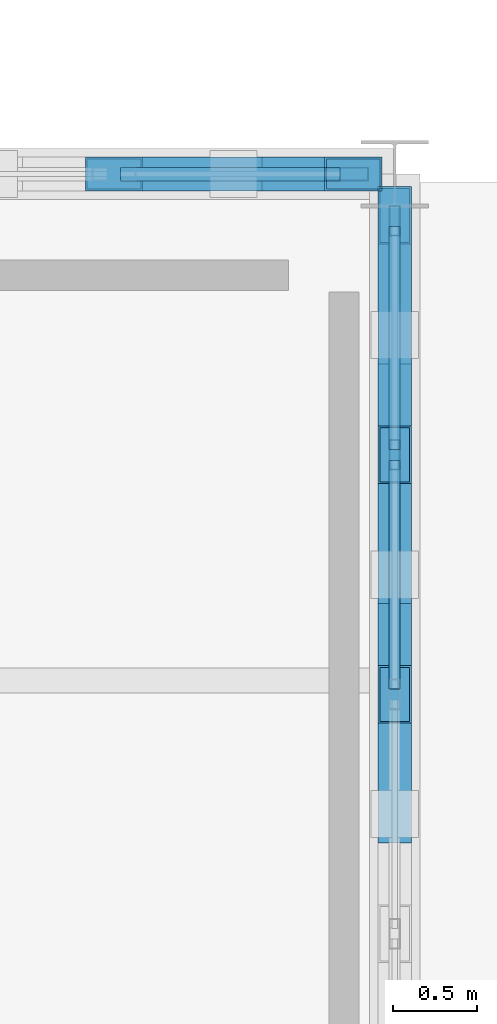
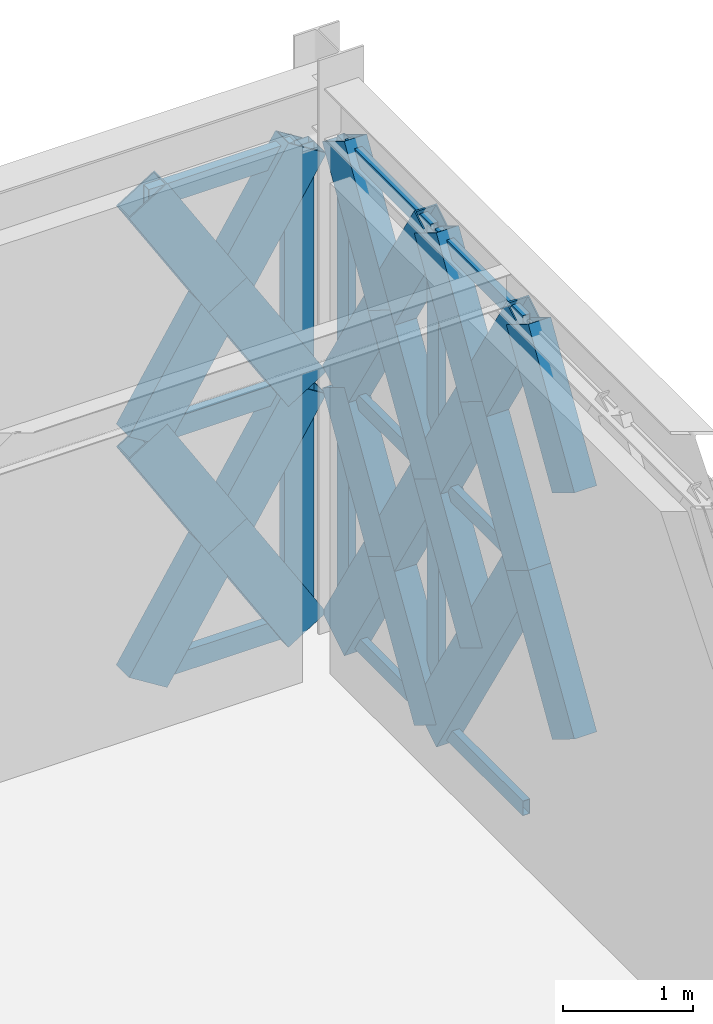
# One storey, part 99 of 140: 31 members, 2 elements without a shape of their own.
"""IFC4 building model written with IfcOpenShell, lengths in metres."""

from ifc_helpers import new_model, si_unit, direction, frame, origin, origin_2d, place, context, subcontext, project, spatial, hollow_rectangle, extrude, material, material_profile, profile_set, type_object, element, aggregate, save


model = new_model("IFC4")

# Units and contexts
model_context = context("Model", 3, precision=1e-05, world=origin(), true_north=direction((0.0, 1.0)))
body_context = subcontext(model_context, "Body", "Model", "MODEL_VIEW")
ifc_project = project(units=[si_unit("LENGTHUNIT", "METRE"), si_unit("AREAUNIT", "SQUARE_METRE"), si_unit("VOLUMEUNIT", "CUBIC_METRE"), si_unit("PLANEANGLEUNIT", "RADIAN"), si_unit("MASSUNIT", "GRAM", prefix="KILO")], contexts=[model_context])

# Site, building, storey
site_placement = place(None, origin())
site = spatial("IfcSite", under=ifc_project, at=site_placement, CompositionType="ELEMENT")
building_placement = place(site_placement, origin())
building = spatial("IfcBuilding", under=site, at=building_placement, Name="Haizhuo Lancet Aquarium", CompositionType="ELEMENT")
storey_placement = place(building_placement, origin())
storey = spatial("IfcBuildingStorey", under=building, at=storey_placement, Name="L00", CompositionType="ELEMENT", Elevation=0.0)

# Curtain wall, members
ifc_material_1 = material(Name="Aluminium 6063-T6", Category="aluminium")
curtain_wall_type_1 = type_object("IfcCurtainWallType", Name="CWD-8510x4630", PredefinedType="NOTDEFINED", material=ifc_material_1)
curtain_wall_1_placement = place(storey_placement, origin())
curtain_wall_1 = element("IfcCurtainWall", 1, at=curtain_wall_1_placement, inside=storey, type_object=curtain_wall_type_1, Name="L00 curtain wall CW-V7-L00-274", PredefinedType="NOTDEFINED")
ifc_material_profile_1 = material_profile(ifc_material_1, hollow_rectangle(XDim=0.06494140625, YDim=0.179931640625, WallThickness=0.00390625, at=origin_2d()), Name="ALU-M 65x180x4")
ifc_profile_set_1 = profile_set([ifc_material_profile_1], Name="Aluminium 6063-T6")
member_type_1 = type_object("IfcMemberType", Name="CW-MUL-1", PredefinedType="MULLION", material=ifc_profile_set_1)
member_1_placement = place(storey_placement, frame((63.0, 35.722900390625, 0.0), z_axis=(0.0, 0.0, 1.0), x_axis=(1.0, 0.0, 0.0)))
member_1 = element("IfcMember", 2, at=member_1_placement, type_object=member_type_1, Name="CWD-85x46 mullion 1", PredefinedType="MULLION", context=body_context, shape_type="SweptSolid", body=[
    extrude(hollow_rectangle(XDim=0.06494140625, YDim=0.179931640625, WallThickness=0.00390625, at=origin_2d()), origin(), (0.0, 0.0, 1.0), 4.632080078125),
])
member_2_placement = place(storey_placement, frame((63.0, 34.3369140625, 0.0), z_axis=(0.0, 0.0, 1.0), x_axis=(1.0, 0.0, 0.0)))
member_2 = element("IfcMember", 3, at=member_2_placement, type_object=member_type_1, Name="CWD-85x46 mullion 2", PredefinedType="MULLION", context=body_context, shape_type="SweptSolid", body=[
    extrude(hollow_rectangle(XDim=0.06494140625, YDim=0.179931640625, WallThickness=0.00390625, at=origin_2d()), origin(), (0.0, 0.0, 1.0), 4.632080078125),
])

# Curtain wall, member
curtain_wall_type_2 = type_object("IfcCurtainWallType", Name="CWD-8510x4530", PredefinedType="NOTDEFINED", material=ifc_material_1)
curtain_wall_2_placement = place(storey_placement, origin())
curtain_wall_2 = element("IfcCurtainWall", 4, at=curtain_wall_2_placement, inside=storey, type_object=curtain_wall_type_2, Name="L00 curtain wall CW-V7-L00-273", PredefinedType="NOTDEFINED")
ifc_material_profile_2 = material_profile(ifc_material_1, hollow_rectangle(XDim=0.080078125, YDim=0.260009765625, WallThickness=0.0048828125, at=origin_2d()), Name="ALU-M 80x260x5")
ifc_profile_set_2 = profile_set([ifc_material_profile_2], Name="Aluminium 6063-T6")
member_type_2 = type_object("IfcMemberType", Name="CW-MUL-3", PredefinedType="MULLION", material=ifc_profile_set_2)
member_3_placement = place(storey_placement, frame((62.715087890625, 36.0, 0.0), z_axis=(0.0, 0.0, 1.0), x_axis=(0.0, 1.0, 0.0)))
member_3 = element("IfcMember", 5, at=member_3_placement, type_object=member_type_2, Name="CWD-85x45 mullion 7", PredefinedType="MULLION", context=body_context, shape_type="SweptSolid", body=[
    extrude(hollow_rectangle(XDim=0.080078125, YDim=0.260009765625, WallThickness=0.0048828125, at=origin_2d()), origin(), (0.0, 0.0, 1.0), 4.531982421875),
])

# Member
ifc_material_profile_3 = material_profile(ifc_material_1, hollow_rectangle(XDim=0.06494140625, YDim=0.139892578125, WallThickness=0.00390625, at=origin_2d()), Name="ALU-T 65x140x4")
ifc_profile_set_3 = profile_set([ifc_material_profile_3], Name="Aluminium 6063-T6")
member_type_3 = type_object("IfcMemberType", Name="CW-TRN-1", PredefinedType="NOTDEFINED", material=ifc_profile_set_3)
member_4_placement = place(storey_placement, frame((63.0, 35.68994140625, 0.032958984375), z_axis=(0.0, -1.0, 0.0), x_axis=(1.0, 0.0, 0.0)))
member_4 = element("IfcMember", 6, at=member_4_placement, type_object=member_type_3, Name="CWD-85x46 transom 1.1", ObjectType="TRANSOM", PredefinedType="USERDEFINED", context=body_context, shape_type="SweptSolid", body=[
    extrude(hollow_rectangle(XDim=0.06494140625, YDim=0.139892578125, WallThickness=0.00390625, at=origin_2d()), origin(), (0.0, 0.0, 1.0), 1.321044921875),
])

member_5_placement = place(storey_placement, frame((63.0, 35.68994140625, 2.31591796875), z_axis=(0.0, -1.0, 0.0), x_axis=(1.0, 0.0, 0.0)))
member_5 = element("IfcMember", 7, at=member_5_placement, type_object=member_type_3, Name="CWD-85x46 transom 1.2", ObjectType="TRANSOM", PredefinedType="USERDEFINED", context=body_context, shape_type="SweptSolid", body=[
    extrude(hollow_rectangle(XDim=0.06494140625, YDim=0.139892578125, WallThickness=0.00390625, at=origin_2d()), origin(), (0.0, 0.0, 1.0), 1.321044921875),
])

member_6_placement = place(storey_placement, frame((63.0, 35.68994140625, 4.59912109375), z_axis=(0.0, -1.0, 0.0), x_axis=(1.0, 0.0, 0.0)))
member_6 = element("IfcMember", 8, at=member_6_placement, type_object=member_type_3, Name="CWD-85x46 transom 1.3", ObjectType="TRANSOM", PredefinedType="USERDEFINED", context=body_context, shape_type="SweptSolid", body=[
    extrude(hollow_rectangle(XDim=0.06494140625, YDim=0.139892578125, WallThickness=0.00390625, at=origin_2d()), origin(), (0.0, 0.0, 1.0), 1.321044921875),
])

member_7_placement = place(storey_placement, frame((63.0, 34.303955078125, 0.032958984375), z_axis=(0.0, -1.0, 0.0), x_axis=(1.0, 0.0, 0.0)))
member_7 = element("IfcMember", 9, at=member_7_placement, type_object=member_type_3, Name="CWD-85x46 transom 2.1", ObjectType="TRANSOM", PredefinedType="USERDEFINED", context=body_context, shape_type="SweptSolid", body=[
    extrude(hollow_rectangle(XDim=0.06494140625, YDim=0.139892578125, WallThickness=0.00390625, at=origin_2d()), origin(), (0.0, 0.0, 1.0), 1.35302734375),
])

member_8_placement = place(storey_placement, frame((63.0, 34.303955078125, 2.31591796875), z_axis=(0.0, -1.0, 0.0), x_axis=(1.0, 0.0, 0.0)))
member_8 = element("IfcMember", 10, at=member_8_placement, type_object=member_type_3, Name="CWD-85x46 transom 2.2", ObjectType="TRANSOM", PredefinedType="USERDEFINED", context=body_context, shape_type="SweptSolid", body=[
    extrude(hollow_rectangle(XDim=0.06494140625, YDim=0.139892578125, WallThickness=0.00390625, at=origin_2d()), origin(), (0.0, 0.0, 1.0), 1.35302734375),
])

member_9_placement = place(storey_placement, frame((63.0, 34.303955078125, 4.59912109375), z_axis=(0.0, -1.0, 0.0), x_axis=(1.0, 0.0, 0.0)))
member_9 = element("IfcMember", 11, at=member_9_placement, type_object=member_type_3, Name="CWD-85x46 transom 2.3", ObjectType="TRANSOM", PredefinedType="USERDEFINED", context=body_context, shape_type="SweptSolid", body=[
    extrude(hollow_rectangle(XDim=0.06494140625, YDim=0.139892578125, WallThickness=0.00390625, at=origin_2d()), origin(), (0.0, 0.0, 1.0), 1.35302734375),
])

aggregate(curtain_wall_1, [member_1, member_2, member_4, member_5, member_6, member_7, member_8, member_9])

ifc_material_profile_4 = material_profile(ifc_material_1, hollow_rectangle(XDim=0.080078125, YDim=0.18994140625, WallThickness=0.0048828125, at=origin_2d()), Name="ALU-T 80x190x5")
ifc_profile_set_4 = profile_set([ifc_material_profile_4], Name="Aluminium 6063-T6")
member_type_4 = type_object("IfcMemberType", Name="CW-TRN-3", PredefinedType="NOTDEFINED", material=ifc_profile_set_4)
member_10_placement = place(storey_placement, frame((61.376953125, 36.0, 0.0400390625), z_axis=(1.0, 0.0, 0.0), x_axis=(0.0, 1.0, 0.0)))
member_10 = element("IfcMember", 12, at=member_10_placement, type_object=member_type_4, Name="CWD-85x45 transom 6.1", ObjectType="TRANSOM", PredefinedType="USERDEFINED", context=body_context, shape_type="SweptSolid", body=[
    extrude(hollow_rectangle(XDim=0.080078125, YDim=0.18994140625, WallThickness=0.0048828125, at=origin_2d()), origin(), (0.0, 0.0, 1.0), 1.298095703125),
])

member_11_placement = place(storey_placement, frame((61.376953125, 36.0, 2.26611328125), z_axis=(1.0, 0.0, 0.0), x_axis=(0.0, 1.0, 0.0)))
member_11 = element("IfcMember", 13, at=member_11_placement, type_object=member_type_4, Name="CWD-85x45 transom 6.2", ObjectType="TRANSOM", PredefinedType="USERDEFINED", context=body_context, shape_type="SweptSolid", body=[
    extrude(hollow_rectangle(XDim=0.080078125, YDim=0.18994140625, WallThickness=0.0048828125, at=origin_2d()), origin(), (0.0, 0.0, 1.0), 1.298095703125),
])

member_12_placement = place(storey_placement, frame((61.376953125, 36.0, 4.491943359375), z_axis=(1.0, 0.0, 0.0), x_axis=(0.0, 1.0, 0.0)))
member_12 = element("IfcMember", 14, at=member_12_placement, type_object=member_type_4, Name="CWD-85x45 transom 6.3", ObjectType="TRANSOM", PredefinedType="USERDEFINED", context=body_context, shape_type="SweptSolid", body=[
    extrude(hollow_rectangle(XDim=0.080078125, YDim=0.18994140625, WallThickness=0.0048828125, at=origin_2d()), origin(), (0.0, 0.0, 1.0), 1.298095703125),
])

aggregate(curtain_wall_2, [member_3, member_10, member_11, member_12])

# Members
ifc_material_2 = material(Name="Steel S355", Category="steel")
ifc_material_profile_5 = material_profile(ifc_material_2, hollow_rectangle(XDim=0.199951171875, YDim=0.39990234375, WallThickness=0.011962890625, at=origin_2d()), Name="RHS 200x400x12")
ifc_profile_set_5 = profile_set([ifc_material_profile_5], Name="Steel S355")
member_type_5 = type_object("IfcMemberType", Name="MEM-LB-RHS200x400", PredefinedType="BRACE", material=ifc_profile_set_5)
member_13_placement = place(storey_placement, frame((61.3369140625, 36.0, 0.0), z_axis=(0.530442175185, 0.0, 0.847721120879), x_axis=(0.0, 1.0, 0.0)))
element("IfcMember", 15, at=member_13_placement, inside=storey, type_object=member_type_5, Name="Gothic lancet continuous diagonal brace CW-V7-L00-273 11A", PredefinedType="BRACE", context=body_context, shape_type="SweptSolid", body=[
    extrude(hollow_rectangle(XDim=0.199951171875, YDim=0.39990234375, WallThickness=0.011962890625, at=origin_2d()), origin(), (0.0, 0.0, 1.0), 2.673095703125),
])
for number, where, z_axis, x_axis, name in (
    (16, (62.7548828125, 36.0, 0.0), (-0.530442175185, 0.0, 0.847721120879), (0.0, -1.0, 0.0), "Gothic lancet split diagonal brace CW-V7-L00-273 11B1"),
    (17, (62.0458984375, 36.0, 1.133056640625), (-0.530442175185, 0.0, 0.847721120879), (0.0, -1.0, 0.0), "Gothic lancet split diagonal brace CW-V7-L00-273 11B2"),
):
    element("IfcMember", number, at=place(storey_placement, frame(where, z_axis=z_axis, x_axis=x_axis)), inside=storey, type_object=member_type_5, Name=name, PredefinedType="BRACE", context=body_context, shape_type="SweptSolid", body=[
        extrude(hollow_rectangle(XDim=0.199951171875, YDim=0.39990234375, WallThickness=0.011962890625, at=origin_2d()), origin(), (0.0, 0.0, 1.0), 1.336669921875),
    ])
member_14_placement = place(storey_placement, frame((61.3369140625, 36.0, 2.26611328125), z_axis=(0.530483245642, 0.0, 0.847695420592), x_axis=(0.0, 1.0, 0.0)))
element("IfcMember", 18, at=member_14_placement, inside=storey, type_object=member_type_5, Name="Gothic lancet continuous diagonal brace CW-V7-L00-273 12A", PredefinedType="BRACE", context=body_context, shape_type="SweptSolid", body=[
    extrude(hollow_rectangle(XDim=0.199951171875, YDim=0.39990234375, WallThickness=0.011962890625, at=origin_2d()), origin(), (0.0, 0.0, 1.0), 2.673095703125),
])
member_15_placement = place(storey_placement, frame((62.7548828125, 36.0, 2.26611328125), z_axis=(-0.530524321213, 0.0, 0.847669714335), x_axis=(0.0, -1.0, 0.0)))
element("IfcMember", 19, at=member_15_placement, inside=storey, type_object=member_type_5, Name="Gothic lancet split diagonal brace CW-V7-L00-273 12B1", PredefinedType="BRACE", context=body_context, shape_type="SweptSolid", body=[
    extrude(hollow_rectangle(XDim=0.199951171875, YDim=0.39990234375, WallThickness=0.011962890625, at=origin_2d()), origin(), (0.0, 0.0, 1.0), 1.33642578125),
])
member_16_placement = place(storey_placement, frame((62.0458984375, 36.0, 3.39892578125), z_axis=(-0.530442175185, 0.0, 0.847721120879), x_axis=(0.0, -1.0, 0.0)))
element("IfcMember", 20, at=member_16_placement, inside=storey, type_object=member_type_5, Name="Gothic lancet split diagonal brace CW-V7-L00-273 12B2", PredefinedType="BRACE", context=body_context, shape_type="SweptSolid", body=[
    extrude(hollow_rectangle(XDim=0.199951171875, YDim=0.39990234375, WallThickness=0.011962890625, at=origin_2d()), origin(), (0.0, 0.0, 1.0), 1.336669921875),
])
member_17_placement = place(storey_placement, frame((63.0, 35.7548828125, 0.0), z_axis=(0.0, -0.52216987418, 0.852841499048), x_axis=(1.0, 0.0, 0.0)))
element("IfcMember", 21, at=member_17_placement, inside=storey, type_object=member_type_5, Name="Gothic lancet continuous diagonal brace CW-V7-L00-274 1A", PredefinedType="BRACE", context=body_context, shape_type="SweptSolid", body=[
    extrude(hollow_rectangle(XDim=0.199951171875, YDim=0.39990234375, WallThickness=0.011962890625, at=origin_2d()), origin(), (0.0, 0.0, 1.0), 2.715576171875),
])
for number, where, z_axis, x_axis, name in (
    (22, (63.0, 34.3369140625, 0.0), (0.0, 0.52216987418, 0.852841499048), (-1.0, 0.0, 0.0), "Gothic lancet split diagonal brace CW-V7-L00-274 1B1"),
    (23, (63.0, 35.0458984375, 1.157958984375), (0.0, 0.52216987418, 0.852841499048), (-1.0, 0.0, 0.0), "Gothic lancet split diagonal brace CW-V7-L00-274 1B2"),
):
    element("IfcMember", number, at=place(storey_placement, frame(where, z_axis=z_axis, x_axis=x_axis)), inside=storey, type_object=member_type_5, Name=name, PredefinedType="BRACE", context=body_context, shape_type="SweptSolid", body=[
        extrude(hollow_rectangle(XDim=0.199951171875, YDim=0.39990234375, WallThickness=0.011962890625, at=origin_2d()), origin(), (0.0, 0.0, 1.0), 1.357666015625),
    ])
member_18_placement = place(storey_placement, frame((63.0, 35.7548828125, 2.31591796875), z_axis=(0.0, -0.522129839323, 0.852866009927), x_axis=(1.0, 0.0, 0.0)))
element("IfcMember", 24, at=member_18_placement, inside=storey, type_object=member_type_5, Name="Gothic lancet continuous diagonal brace CW-V7-L00-274 2A", PredefinedType="BRACE", context=body_context, shape_type="SweptSolid", body=[
    extrude(hollow_rectangle(XDim=0.199951171875, YDim=0.39990234375, WallThickness=0.011962890625, at=origin_2d()), origin(), (0.0, 0.0, 1.0), 2.7158203125),
])
member_19_placement = place(storey_placement, frame((63.0, 34.3369140625, 2.31591796875), z_axis=(0.0, 0.522089809454, 0.852890515168), x_axis=(-1.0, 0.0, 0.0)))
element("IfcMember", 25, at=member_19_placement, inside=storey, type_object=member_type_5, Name="Gothic lancet split diagonal brace CW-V7-L00-274 2B1", PredefinedType="BRACE", context=body_context, shape_type="SweptSolid", body=[
    extrude(hollow_rectangle(XDim=0.199951171875, YDim=0.39990234375, WallThickness=0.011962890625, at=origin_2d()), origin(), (0.0, 0.0, 1.0), 1.35791015625),
])
member_20_placement = place(storey_placement, frame((63.0, 35.0458984375, 3.47412109375), z_axis=(0.0, 0.52216987418, 0.852841499048), x_axis=(-1.0, 0.0, 0.0)))
element("IfcMember", 26, at=member_20_placement, inside=storey, type_object=member_type_5, Name="Gothic lancet split diagonal brace CW-V7-L00-274 2B2", PredefinedType="BRACE", context=body_context, shape_type="SweptSolid", body=[
    extrude(hollow_rectangle(XDim=0.199951171875, YDim=0.39990234375, WallThickness=0.011962890625, at=origin_2d()), origin(), (0.0, 0.0, 1.0), 1.357666015625),
])
member_21_placement = place(storey_placement, frame((63.0, 34.3369140625, 0.0), z_axis=(0.0, -0.522431366844, 0.852681339621), x_axis=(1.0, 0.0, 0.0)))
element("IfcMember", 27, at=member_21_placement, inside=storey, type_object=member_type_5, Name="Gothic lancet continuous diagonal brace CW-V7-L00-274 3A", PredefinedType="BRACE", context=body_context, shape_type="SweptSolid", body=[
    extrude(hollow_rectangle(XDim=0.199951171875, YDim=0.39990234375, WallThickness=0.011962890625, at=origin_2d()), origin(), (0.0, 0.0, 1.0), 2.716064453125),
])
member_22_placement = place(storey_placement, frame((63.0, 33.626953125, 1.157958984375), z_axis=(0.0, 0.522692712191, 0.85252116022), x_axis=(-1.0, 0.0, 0.0)))
element("IfcMember", 28, at=member_22_placement, inside=storey, type_object=member_type_5, Name="Gothic lancet split diagonal brace CW-V7-L00-274 3B2", PredefinedType="BRACE", context=body_context, shape_type="SweptSolid", body=[
    extrude(hollow_rectangle(XDim=0.199951171875, YDim=0.39990234375, WallThickness=0.011962890625, at=origin_2d()), origin(), (0.0, 0.0, 1.0), 1.358154296875),
])
member_23_placement = place(storey_placement, frame((63.0, 34.3369140625, 2.31591796875), z_axis=(0.0, -0.522391326979, 0.852705870449), x_axis=(1.0, 0.0, 0.0)))
element("IfcMember", 29, at=member_23_placement, inside=storey, type_object=member_type_5, Name="Gothic lancet continuous diagonal brace CW-V7-L00-274 4A", PredefinedType="BRACE", context=body_context, shape_type="SweptSolid", body=[
    extrude(hollow_rectangle(XDim=0.199951171875, YDim=0.39990234375, WallThickness=0.011962890625, at=origin_2d()), origin(), (0.0, 0.0, 1.0), 2.71630859375),
])
member_24_placement = place(storey_placement, frame((63.0, 32.91796875, 2.31591796875), z_axis=(0.0, 0.522089809454, 0.852890515168), x_axis=(-1.0, 0.0, 0.0)))
element("IfcMember", 30, at=member_24_placement, inside=storey, type_object=member_type_5, Name="Gothic lancet split diagonal brace CW-V7-L00-274 4B1", PredefinedType="BRACE", context=body_context, shape_type="SweptSolid", body=[
    extrude(hollow_rectangle(XDim=0.199951171875, YDim=0.39990234375, WallThickness=0.011962890625, at=origin_2d()), origin(), (0.0, 0.0, 1.0), 1.35791015625),
])
member_25_placement = place(storey_placement, frame((63.0, 33.626953125, 3.47412109375), z_axis=(0.0, 0.522692712191, 0.85252116022), x_axis=(-1.0, 0.0, 0.0)))
element("IfcMember", 31, at=member_25_placement, inside=storey, type_object=member_type_5, Name="Gothic lancet split diagonal brace CW-V7-L00-274 4B2", PredefinedType="BRACE", context=body_context, shape_type="SweptSolid", body=[
    extrude(hollow_rectangle(XDim=0.199951171875, YDim=0.39990234375, WallThickness=0.011962890625, at=origin_2d()), origin(), (0.0, 0.0, 1.0), 1.358154296875),
])
for number, where, z_axis, x_axis, name in (
    (32, (63.0, 32.208984375, 1.157958984375), (0.0, 0.52216987418, 0.852841499048), (-1.0, 0.0, 0.0), "Gothic lancet split diagonal brace CW-V7-L00-274 5B2"),
    (33, (63.0, 32.208984375, 3.47412109375), (0.0, 0.52216987418, 0.852841499048), (-1.0, 0.0, 0.0), "Gothic lancet split diagonal brace CW-V7-L00-274 6B2"),
):
    element("IfcMember", number, at=place(storey_placement, frame(where, z_axis=z_axis, x_axis=x_axis)), inside=storey, type_object=member_type_5, Name=name, PredefinedType="BRACE", context=body_context, shape_type="SweptSolid", body=[
        extrude(hollow_rectangle(XDim=0.199951171875, YDim=0.39990234375, WallThickness=0.011962890625, at=origin_2d()), origin(), (0.0, 0.0, 1.0), 1.357666015625),
    ])

save(model, "model.ifc")
